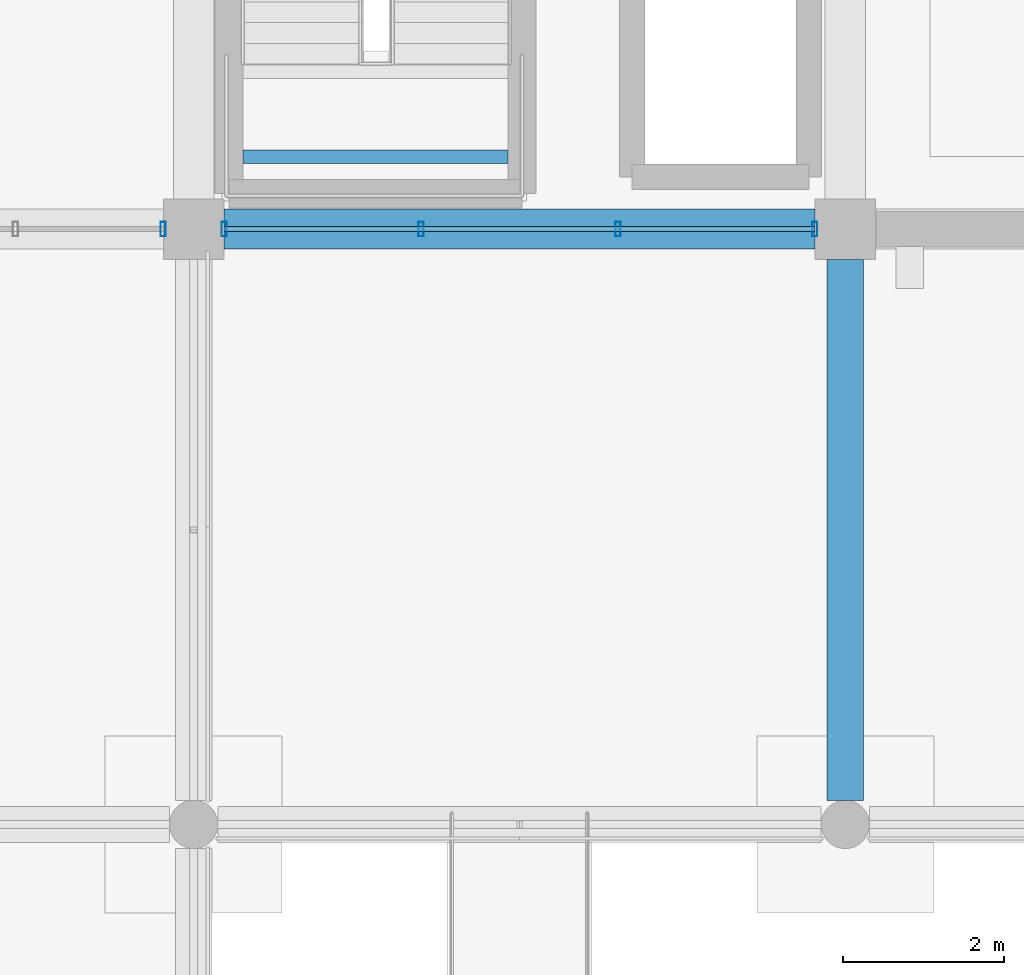
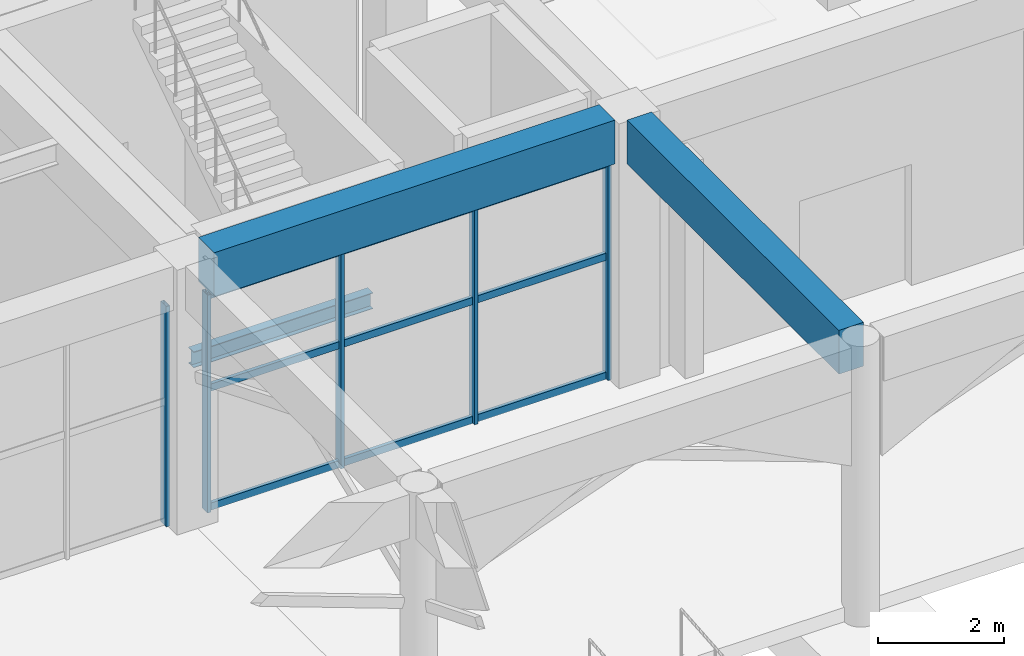
# One storey, part 8 of 140: 8 members, 3 beams, 2 elements without a shape of their own.
"""IFC4 building model written with IfcOpenShell, lengths in metres."""

from ifc_helpers import new_model, si_unit, direction, frame, origin, origin_2d, place, context, subcontext, project, spatial, rectangle, hollow_rectangle, i_section, extrude, material, material_profile, profile_set, type_object, element, aggregate, save


model = new_model("IFC4")

# Units and contexts
model_context = context("Model", 3, precision=1e-05, world=origin(), true_north=direction((0.0, 1.0)))
body_context = subcontext(model_context, "Body", "Model", "MODEL_VIEW")
ifc_project = project(units=[si_unit("LENGTHUNIT", "METRE"), si_unit("AREAUNIT", "SQUARE_METRE"), si_unit("VOLUMEUNIT", "CUBIC_METRE"), si_unit("PLANEANGLEUNIT", "RADIAN"), si_unit("MASSUNIT", "GRAM", prefix="KILO")], contexts=[model_context])

# Site, building, storey
site_placement = place(None, origin())
site = spatial("IfcSite", under=ifc_project, at=site_placement, CompositionType="ELEMENT")
building_placement = place(site_placement, origin())
building = spatial("IfcBuilding", under=site, at=building_placement, Name="Cimatlan Art Gallery", CompositionType="ELEMENT")
storey_placement = place(building_placement, origin())
storey = spatial("IfcBuildingStorey", under=building, at=storey_placement, Name="L00", CompositionType="ELEMENT", Elevation=0.0)

# Beams
ifc_material_1 = material(Name="Concrete C40/50", Category="concrete")
ifc_material_profile_1 = material_profile(ifc_material_1, rectangle(XDim=0.449951171875, YDim=0.85009765625, at=origin_2d()), Name="RC450X850")
ifc_profile_set_1 = profile_set([ifc_material_profile_1], Name="Concrete C40/50")
beam_type_1 = type_object("IfcBeamType", Name="BM-ARC-450X850", PredefinedType="SPANDREL", material=ifc_profile_set_1)
beam_1_placement = place(storey_placement, frame((42.5, 16.800048828125, 4.735107421875), z_axis=(0.0, 1.0, 0.0), x_axis=(-1.0, 0.0, 0.0)))
element("IfcBeam", 1, at=beam_1_placement, inside=storey, type_object=beam_type_1, Name="BM-ARC-Y-05-02", PredefinedType="SPANDREL", context=body_context, shape_type="SweptSolid", body=[
    extrude(rectangle(XDim=0.449951171875, YDim=0.85009765625, at=origin_2d()), origin(), (0.0, 0.0, 1.0), 6.724853515625),
])
ifc_material_profile_2 = material_profile(ifc_material_1, rectangle(XDim=0.5, YDim=0.85009765625, at=origin_2d()), Name="RC500X850")
ifc_profile_set_2 = profile_set([ifc_material_profile_2], Name="Concrete C40/50")
beam_type_2 = type_object("IfcBeamType", Name="BM-RC-500X850", PredefinedType="BEAM", material=ifc_profile_set_2)
beam_2_placement = place(storey_placement, frame((34.77490234375, 23.89990234375, 4.7099609375), z_axis=(1.0, 0.0, 0.0), x_axis=(0.0, 1.0, 0.0)))
element("IfcBeam", 2, at=beam_2_placement, inside=storey, type_object=beam_type_2, Name="BM-X-L00-04-03", PredefinedType="BEAM", context=body_context, shape_type="SweptSolid", body=[
    extrude(rectangle(XDim=0.5, YDim=0.85009765625, at=origin_2d()), origin(), (0.0, 0.0, 1.0), 7.35009765625),
])
ifc_material_2 = material(Name="Steel ASTM A992 Grade 50", Category="steel")
ifc_material_profile_3 = material_profile(ifc_material_2, i_section(OverallWidth=0.1650390625, OverallDepth=0.31005859375, WebThickness=0.005859375, FlangeThickness=0.009765625, at=origin_2d()), Name="W12X26")
ifc_profile_set_3 = profile_set([ifc_material_profile_3], Name="Steel ASTM A992 Grade 50")
beam_type_3 = type_object("IfcBeamType", Name="BM-STL-W12X26", PredefinedType="JOIST", material=ifc_profile_set_3)
beam_3_placement = place(storey_placement, frame((35.014892578125, 24.800048828125, 2.324951171875), z_axis=(1.0, 0.0, 0.0), x_axis=(0.0, 1.0, 0.0)))
element("IfcBeam", 3, at=beam_3_placement, inside=storey, type_object=beam_type_3, Name="BM-STR-C2-L00-LH1", PredefinedType="JOIST", context=body_context, shape_type="SweptSolid", body=[
    extrude(i_section(OverallWidth=0.1650390625, OverallDepth=0.31005859375, WebThickness=0.005859375, FlangeThickness=0.009765625, at=origin_2d()), origin(), (0.0, 0.0, 1.0), 3.2900390625),
])

# Curtain wall, member
ifc_material_3 = material(Name="Anodised bronze unitised curtain wall")
curtain_wall_type_1 = type_object("IfcCurtainWallType", Name="CW-V-07342X04270-B4", PredefinedType="NOTDEFINED", material=ifc_material_3)
curtain_wall_1_placement = place(storey_placement, origin())
curtain_wall_1 = element("IfcCurtainWall", 4, at=curtain_wall_1_placement, inside=storey, type_object=curtain_wall_type_1, Name="CW-L00-03-03-S", PredefinedType="NOTDEFINED")
ifc_material_4 = material(Name="Anodised bronze aluminium 6063-T6", Category="aluminium")
ifc_material_profile_4 = material_profile(ifc_material_4, hollow_rectangle(XDim=0.06494140625, YDim=0.179931640625, WallThickness=0.00390625, at=origin_2d()), Name="ALU65X180X4")
ifc_profile_set_4 = profile_set([ifc_material_profile_4], Name="Anodised bronze aluminium 6063-T6")
member_type_1 = type_object("IfcMemberType", Name="CW-MUL-180", PredefinedType="MULLION", material=ifc_profile_set_4)
member_1_placement = place(storey_placement, frame((34.02099609375, 23.89990234375, 0.0), z_axis=(0.0, 0.0, 1.0), x_axis=(1.0, 0.0, 0.0)))
member_1 = element("IfcMember", 5, at=member_1_placement, type_object=member_type_1, Name="CW-L00-03-03-S-M1", PredefinedType="MULLION", context=body_context, shape_type="SweptSolid", body=[
    extrude(hollow_rectangle(XDim=0.06494140625, YDim=0.179931640625, WallThickness=0.00390625, at=origin_2d()), origin(), (0.0, 0.0, 1.0), 4.27001953125),
])
aggregate(curtain_wall_1, [member_1])

# Curtain wall, members
curtain_wall_type_2 = type_object("IfcCurtainWallType", Name="CW-V-07342X04225-B3", PredefinedType="NOTDEFINED", material=ifc_material_3)
curtain_wall_2_placement = place(storey_placement, origin())
curtain_wall_2 = element("IfcCurtainWall", 6, at=curtain_wall_2_placement, inside=storey, type_object=curtain_wall_type_2, Name="CW-L00-04-03-S", PredefinedType="NOTDEFINED")
member_2_placement = place(storey_placement, frame((42.12109375, 23.89990234375, 0.0), z_axis=(0.0, 0.0, 1.0), x_axis=(1.0, 0.0, 0.0)))
member_2 = element("IfcMember", 7, at=member_2_placement, type_object=member_type_1, Name="CW-L00-04-03-S-M1", PredefinedType="MULLION", context=body_context, shape_type="SweptSolid", body=[
    extrude(hollow_rectangle(XDim=0.06494140625, YDim=0.179931640625, WallThickness=0.00390625, at=origin_2d()), origin(), (0.0, 0.0, 1.0), 4.22509765625),
])
member_3_placement = place(storey_placement, frame((39.673583984375, 23.89990234375, 0.0), z_axis=(0.0, 0.0, 1.0), x_axis=(1.0, 0.0, 0.0)))
member_3 = element("IfcMember", 8, at=member_3_placement, type_object=member_type_1, Name="CW-L00-04-03-S-M2", PredefinedType="MULLION", context=body_context, shape_type="SweptSolid", body=[
    extrude(hollow_rectangle(XDim=0.06494140625, YDim=0.179931640625, WallThickness=0.00390625, at=origin_2d()), origin(), (0.0, 0.0, 1.0), 4.22509765625),
])
member_4_placement = place(storey_placement, frame((37.226318359375, 23.89990234375, 0.0), z_axis=(0.0, 0.0, 1.0), x_axis=(1.0, 0.0, 0.0)))
member_4 = element("IfcMember", 9, at=member_4_placement, type_object=member_type_1, Name="CW-L00-04-03-S-M3", PredefinedType="MULLION", context=body_context, shape_type="SweptSolid", body=[
    extrude(hollow_rectangle(XDim=0.06494140625, YDim=0.179931640625, WallThickness=0.00390625, at=origin_2d()), origin(), (0.0, 0.0, 1.0), 4.22509765625),
])
member_5_placement = place(storey_placement, frame((34.779052734375, 23.89990234375, 0.0), z_axis=(0.0, 0.0, 1.0), x_axis=(1.0, 0.0, 0.0)))
member_5 = element("IfcMember", 10, at=member_5_placement, type_object=member_type_1, Name="CW-L00-04-03-S-M4", PredefinedType="MULLION", context=body_context, shape_type="SweptSolid", body=[
    extrude(hollow_rectangle(XDim=0.06494140625, YDim=0.179931640625, WallThickness=0.00390625, at=origin_2d()), origin(), (0.0, 0.0, 1.0), 4.22509765625),
])
ifc_material_profile_5 = material_profile(ifc_material_4, hollow_rectangle(XDim=0.06494140625, YDim=0.139892578125, WallThickness=0.00390625, at=origin_2d()), Name="ALU65X140X4")
ifc_profile_set_5 = profile_set([ifc_material_profile_5], Name="Anodised bronze aluminium 6063-T6")
member_type_2 = type_object("IfcMemberType", Name="CW-TRN-140", PredefinedType="USERDEFINED", material=ifc_profile_set_5)
member_6_placement = place(storey_placement, frame((42.12109375, 23.89990234375, 0.06005859375), z_axis=(-1.0, 0.0, 0.0), x_axis=(0.0, -1.0, 0.0)))
member_6 = element("IfcMember", 11, at=member_6_placement, type_object=member_type_2, Name="CW-L00-04-03-S-T1", ObjectType="TRANSOM", PredefinedType="USERDEFINED", context=body_context, shape_type="SweptSolid", body=[
    extrude(hollow_rectangle(XDim=0.06494140625, YDim=0.139892578125, WallThickness=0.00390625, at=origin_2d()), origin(), (0.0, 0.0, 1.0), 7.342041015625),
])
member_7_placement = place(storey_placement, frame((42.12109375, 23.89990234375, 2.365966796875), z_axis=(-1.0, 0.0, 0.0), x_axis=(0.0, -1.0, 0.0)))
member_7 = element("IfcMember", 12, at=member_7_placement, type_object=member_type_2, Name="CW-L00-04-03-S-T2", ObjectType="TRANSOM", PredefinedType="USERDEFINED", context=body_context, shape_type="SweptSolid", body=[
    extrude(hollow_rectangle(XDim=0.06494140625, YDim=0.139892578125, WallThickness=0.00390625, at=origin_2d()), origin(), (0.0, 0.0, 1.0), 7.342041015625),
])
member_8_placement = place(storey_placement, frame((42.12109375, 23.89990234375, 4.1650390625), z_axis=(-1.0, 0.0, 0.0), x_axis=(0.0, -1.0, 0.0)))
member_8 = element("IfcMember", 13, at=member_8_placement, type_object=member_type_2, Name="CW-L00-04-03-S-T3", ObjectType="TRANSOM", PredefinedType="USERDEFINED", context=body_context, shape_type="SweptSolid", body=[
    extrude(hollow_rectangle(XDim=0.06494140625, YDim=0.139892578125, WallThickness=0.00390625, at=origin_2d()), origin(), (0.0, 0.0, 1.0), 7.342041015625),
])
aggregate(curtain_wall_2, [member_2, member_3, member_4, member_5, member_6, member_7, member_8])

save(model, "model.ifc")
